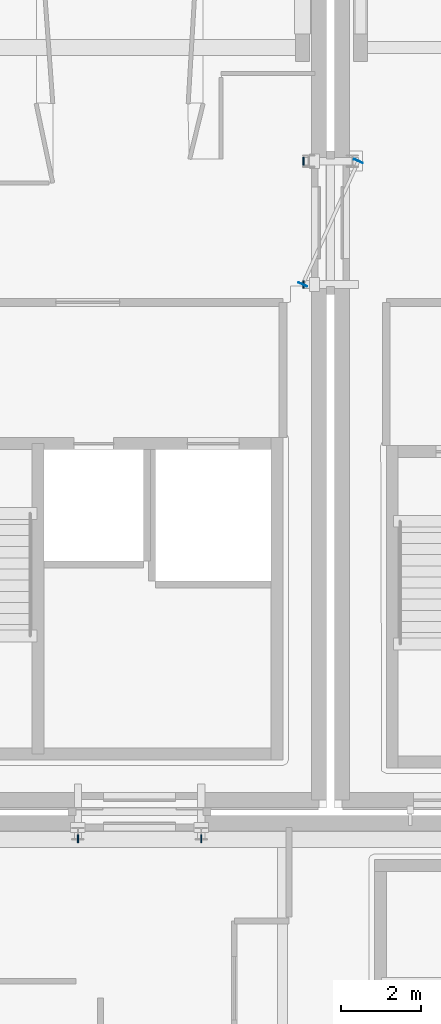
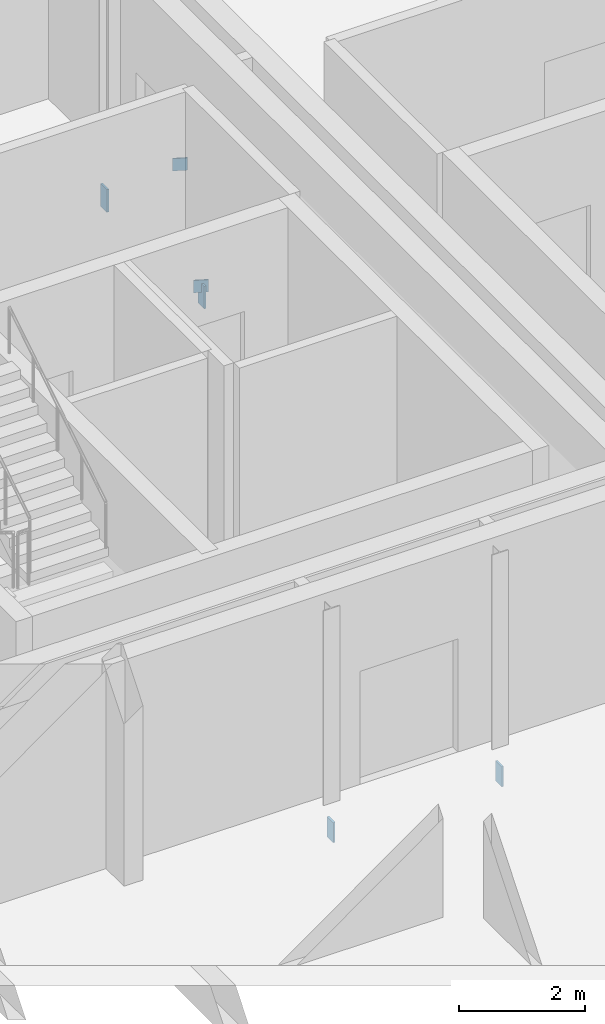
# One storey, part 38 of 84: 6 plates.
"""IFC4 building model written with IfcOpenShell, lengths in metres."""

from ifc_helpers import new_model, si_unit, direction, frame, origin, origin_2d, place, context, subcontext, project, spatial, rectangle, extrude, material, layer, layer_set, type_object, element, save


model = new_model("IFC4")

# Units and contexts
model_context = context("Model", 3, precision=1e-05, world=origin(), true_north=direction((0.0, 1.0)))
body_context = subcontext(model_context, "Body", "Model", "MODEL_VIEW")
ifc_project = project(units=[si_unit("LENGTHUNIT", "METRE"), si_unit("AREAUNIT", "SQUARE_METRE"), si_unit("VOLUMEUNIT", "CUBIC_METRE"), si_unit("PLANEANGLEUNIT", "RADIAN"), si_unit("MASSUNIT", "GRAM", prefix="KILO")], contexts=[model_context])

# Site, building, storey
site_placement = place(None, origin())
site = spatial("IfcSite", under=ifc_project, at=site_placement, CompositionType="ELEMENT")
building_placement = place(site_placement, origin())
building = spatial("IfcBuilding", under=site, at=building_placement, Name="Mzevani Central Library", CompositionType="ELEMENT")
storey_placement = place(building_placement, frame((0.0, 0.0, 5.39990234375)))
storey = spatial("IfcBuildingStorey", under=building, at=storey_placement, Name="L01", CompositionType="ELEMENT", Elevation=5.39990234375)

# Plates
ifc_material = material(Name="Steel S355J2", Category="steel")
ifc_layer_1 = layer(ifc_material, 0.02001953125, Name="Gridshell Hub Gusset Plate 20")
ifc_layer_set_1 = layer_set([ifc_layer_1], Name="Steel S355J2")
plate_type_1 = type_object("IfcPlateType", Name="Gridshell Hub Gusset Plate 20", PredefinedType="SHEET", material=ifc_layer_set_1)
for number, where, z_axis, x_axis, name in (
    (1, (45.300048828125, 55.64990234375, -0.5), (0.0, 0.0, 1.0), (0.411585938782, 0.911370953562, 0.0), "L01 West Reading Seismic Passage L01 Diaphragm Chord End Cap 1"),
    (2, (46.699951171875, 58.75, -0.5), (0.0, 0.0, 1.0), (0.411585938782, 0.911370953562, 0.0), "L01 West Reading Seismic Passage L01 Diaphragm Chord End Cap 2"),
):
    element("IfcPlate", number, at=place(storey_placement, frame(where, z_axis=z_axis, x_axis=x_axis)), inside=storey, type_object=plate_type_1, Name=name, PredefinedType="SHEET", context=body_context, shape_type="SweptSolid", body=[
        extrude(rectangle(XDim=0.02001953125, YDim=0.239990234375, at=origin_2d()), origin(), (0.0, 0.0, 1.0), 0.239990234375),
    ])
ifc_layer_2 = layer(ifc_material, 0.035888671875, Name="Truss Splice Flange Plate 36")
ifc_layer_set_2 = layer_set([ifc_layer_2], Name="Steel S355J2")
plate_type_2 = type_object("IfcPlateType", Name="Truss Splice Flange Plate 36", PredefinedType="USERDEFINED", material=ifc_layer_set_2)
for number, where, z_axis, x_axis, name in (
    (3, (45.318115234375, 55.64990234375, -0.769775390625), (0.0, 0.0, 1.0), (1.0, 0.0, 0.0), "West Reading Seismic Passage L01 Girder End Cap Plate 1"),
    (4, (45.318115234375, 58.75, -0.769775390625), (0.0, 0.0, 1.0), (1.0, 0.0, 0.0), "West Reading Seismic Passage L01 Girder End Cap Plate 2"),
):
    element("IfcPlate", number, at=place(storey_placement, frame(where, z_axis=z_axis, x_axis=x_axis)), inside=storey, type_object=plate_type_2, Name=name, ObjectType="SPLICE PLATE", PredefinedType="USERDEFINED", context=body_context, shape_type="SweptSolid", body=[
        extrude(rectangle(XDim=0.035888671875, YDim=0.199951171875, at=origin_2d()), origin(), (0.0, 0.0, 1.0), 0.43994140625),
    ])
for number, where, z_axis, x_axis, name in (
    (5, (39.64990234375, 41.718017578125, -0.7197265625), (0.0, 0.0, 1.0), (0.0, 1.0, 0.0), "Cultural-Auditorium Seismic Passage L01 Girder End Cap Plate 1"),
    (6, (42.75, 41.718017578125, -0.7197265625), (0.0, 0.0, 1.0), (0.0, 1.0, 0.0), "Cultural-Auditorium Seismic Passage L01 Girder End Cap Plate 2"),
):
    element("IfcPlate", number, at=place(storey_placement, frame(where, z_axis=z_axis, x_axis=x_axis)), inside=storey, type_object=plate_type_2, Name=name, ObjectType="SPLICE PLATE", PredefinedType="USERDEFINED", context=body_context, shape_type="SweptSolid", body=[
        extrude(rectangle(XDim=0.199951171875, YDim=0.035888671875, at=origin_2d()), origin(), (0.0, 0.0, 1.0), 0.389892578125),
    ])

save(model, "model.ifc")
